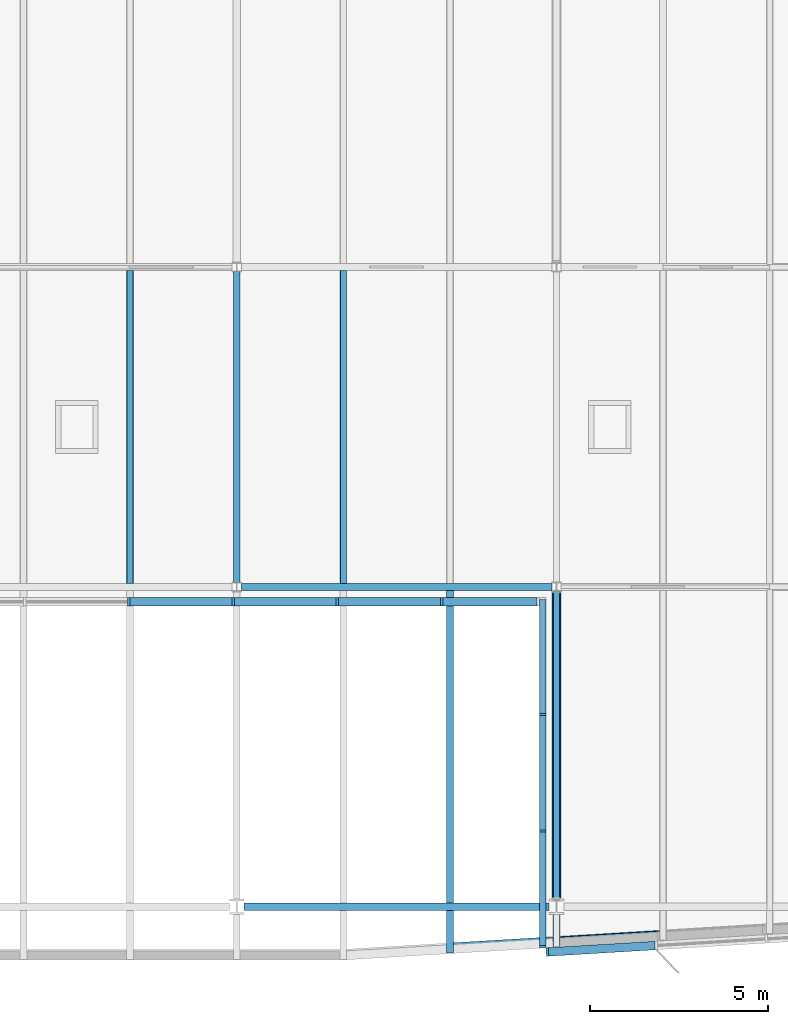
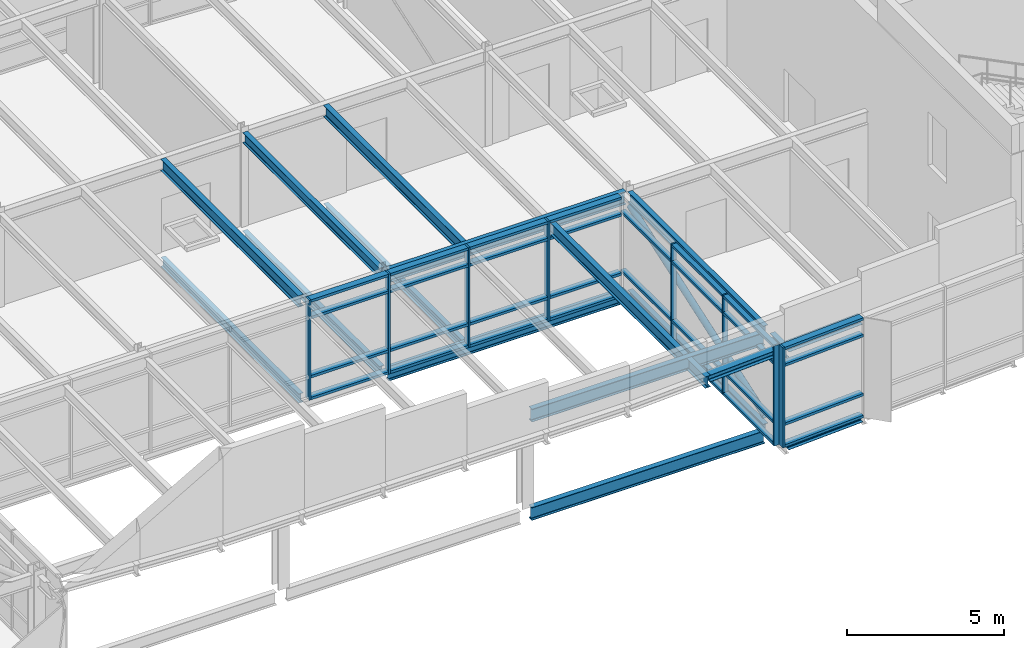
# One storey, part 6 of 23: 40 members, 18 beams, 3 elements without a shape of their own.
"""IFC4 building model written with IfcOpenShell, lengths in metres."""

from ifc_helpers import new_model, si_unit, direction, frame, origin, origin_2d, place, context, subcontext, project, spatial, rectangle, hollow_circle, i_section, extrude, material, material_profile, profile_set, type_object, element, aggregate, save


model = new_model("IFC4")

# Units and contexts
model_context = context("Model", 3, precision=1e-05, world=origin(), true_north=direction((0.0, 1.0)))
body_context = subcontext(model_context, "Body", "Model", "MODEL_VIEW")
ifc_project = project(units=[si_unit("LENGTHUNIT", "METRE"), si_unit("AREAUNIT", "SQUARE_METRE"), si_unit("VOLUMEUNIT", "CUBIC_METRE"), si_unit("PLANEANGLEUNIT", "RADIAN"), si_unit("MASSUNIT", "GRAM", prefix="KILO")], contexts=[model_context])

# Site, building, storey
site_placement = place(None, origin())
site = spatial("IfcSite", under=ifc_project, at=site_placement, CompositionType="ELEMENT")
building_placement = place(site_placement, origin())
building = spatial("IfcBuilding", under=site, at=building_placement, Name="Azimuth Sports and Learning Centre", CompositionType="ELEMENT")
storey_placement = place(building_placement, frame((0.0, 0.0, 75.300048828125)))
storey = spatial("IfcBuildingStorey", under=building, at=storey_placement, Name="L17", CompositionType="ELEMENT", Elevation=75.300048828125)

# Beams
ifc_material_1 = material(Name="Steel S355", Category="steel")
ifc_material_profile_1 = material_profile(ifc_material_1, i_section(OverallWidth=0.179931640625, OverallDepth=0.39990234375, WebThickness=0.008544921875, FlangeThickness=0.013427734375, FilletRadius=0.02099609375, at=origin_2d()), Name="IPE 400")
ifc_profile_set_1 = profile_set([ifc_material_profile_1], Name="Steel S355")
beam_type_1 = type_object("IfcBeamType", Name="Beam IPE 400", PredefinedType="BEAM", material=ifc_profile_set_1)
beam_1_placement = place(storey_placement, frame((90.0, 99.1298828125, -0.330078125), z_axis=(0.0, 1.0, 0.0), x_axis=(-1.0, 0.0, 0.0)))
element("IfcBeam", 1, at=beam_1_placement, inside=storey, type_object=beam_type_1, Name="Tower tie", PredefinedType="BEAM", context=body_context, shape_type="SweptSolid", body=[
    extrude(i_section(OverallWidth=0.179931640625, OverallDepth=0.39990234375, WebThickness=0.008544921875, FlangeThickness=0.013427734375, FilletRadius=0.02099609375, at=origin_2d()), origin(), (0.0, 0.0, 1.0), 8.740234375),
])
beam_2_placement = place(storey_placement, frame((99.0, 90.217529296875, -0.330078125), z_axis=(0.0, 1.0, 0.0), x_axis=(-1.0, 0.0, 0.0)))
element("IfcBeam", 2, at=beam_2_placement, inside=storey, type_object=beam_type_1, Name="Tower tie", PredefinedType="BEAM", context=body_context, shape_type="SweptSolid", body=[
    extrude(i_section(OverallWidth=0.179931640625, OverallDepth=0.39990234375, WebThickness=0.008544921875, FlangeThickness=0.013427734375, FilletRadius=0.02099609375, at=origin_2d()), origin(), (0.0, 0.0, 1.0), 8.652587890625),
])
beam_3_placement = place(storey_placement, frame((90.0, 99.1298828125, 3.5), z_axis=(0.0, 1.0, 0.0), x_axis=(-1.0, 0.0, 0.0)))
element("IfcBeam", 3, at=beam_3_placement, inside=storey, type_object=beam_type_1, Name="Roof tie", PredefinedType="BEAM", context=body_context, shape_type="SweptSolid", body=[
    extrude(i_section(OverallWidth=0.179931640625, OverallDepth=0.39990234375, WebThickness=0.008544921875, FlangeThickness=0.013427734375, FilletRadius=0.02099609375, at=origin_2d()), origin(), (0.0, 0.0, 1.0), 8.740234375),
])
beam_4_placement = place(storey_placement, frame((99.0, 90.217529296875, 3.5), z_axis=(0.0, 1.0, 0.0), x_axis=(-1.0, 0.0, 0.0)))
element("IfcBeam", 4, at=beam_4_placement, inside=storey, type_object=beam_type_1, Name="Roof tie", PredefinedType="BEAM", context=body_context, shape_type="SweptSolid", body=[
    extrude(i_section(OverallWidth=0.179931640625, OverallDepth=0.39990234375, WebThickness=0.008544921875, FlangeThickness=0.013427734375, FilletRadius=0.02099609375, at=origin_2d()), origin(), (0.0, 0.0, 1.0), 8.652587890625),
])
ifc_material_2 = material(Name="Steel S355", Category="steel")
ifc_material_profile_2 = material_profile(ifc_material_2, i_section(OverallWidth=0.199951171875, OverallDepth=0.5, WebThickness=0.01025390625, FlangeThickness=0.01611328125, FilletRadius=0.02099609375, at=origin_2d()), Name="IPE 500")
ifc_profile_set_2 = profile_set([ifc_material_profile_2], Name="Steel S355")
beam_type_2 = type_object("IfcBeamType", Name="Beam IPE 500", PredefinedType="BEAM", material=ifc_profile_set_2)
beam_5_placement = place(storey_placement, frame((90.2060546875, 90.0, -0.380126953125), z_axis=(1.0, 0.0, 0.0), x_axis=(0.0, 1.0, 0.0)))
element("IfcBeam", 5, at=beam_5_placement, inside=storey, type_object=beam_type_2, Name="Tower girder L17", PredefinedType="BEAM", context=body_context, shape_type="SweptSolid", body=[
    extrude(i_section(OverallWidth=0.199951171875, OverallDepth=0.5, WebThickness=0.01025390625, FlangeThickness=0.01611328125, FilletRadius=0.02099609375, at=origin_2d()), origin(), (0.0, 0.0, 1.0), 8.587890625),
])
beam_6_placement = place(storey_placement, frame((90.1298828125, 99.0, -0.380126953125), z_axis=(1.0, 0.0, 0.0), x_axis=(0.0, 1.0, 0.0)))
element("IfcBeam", 6, at=beam_6_placement, inside=storey, type_object=beam_type_2, Name="Tower girder L17", PredefinedType="BEAM", context=body_context, shape_type="SweptSolid", body=[
    extrude(i_section(OverallWidth=0.199951171875, OverallDepth=0.5, WebThickness=0.01025390625, FlangeThickness=0.01611328125, FilletRadius=0.02099609375, at=origin_2d()), origin(), (0.0, 0.0, 1.0), 8.740234375),
])
beam_7_placement = place(storey_placement, frame((90.2060546875, 90.0, 3.449951171875), z_axis=(1.0, 0.0, 0.0), x_axis=(0.0, 1.0, 0.0)))
element("IfcBeam", 7, at=beam_7_placement, inside=storey, type_object=beam_type_2, Name="Roof girder", PredefinedType="BEAM", context=body_context, shape_type="SweptSolid", body=[
    extrude(i_section(OverallWidth=0.199951171875, OverallDepth=0.5, WebThickness=0.01025390625, FlangeThickness=0.01611328125, FilletRadius=0.02099609375, at=origin_2d()), origin(), (0.0, 0.0, 1.0), 8.587890625),
])
beam_8_placement = place(storey_placement, frame((90.1298828125, 99.0, 3.449951171875), z_axis=(1.0, 0.0, 0.0), x_axis=(0.0, 1.0, 0.0)))
element("IfcBeam", 8, at=beam_8_placement, inside=storey, type_object=beam_type_2, Name="Roof girder", PredefinedType="BEAM", context=body_context, shape_type="SweptSolid", body=[
    extrude(i_section(OverallWidth=0.199951171875, OverallDepth=0.5, WebThickness=0.01025390625, FlangeThickness=0.01611328125, FilletRadius=0.02099609375, at=origin_2d()), origin(), (0.0, 0.0, 1.0), 8.740234375),
])

# Member
ifc_material_3 = material(Name="Steel S355", Category="steel")
ifc_material_profile_3 = material_profile(ifc_material_3, hollow_circle(Radius=0.122314453125, WallThickness=0.012451171875, at=origin_2d()), Name="CHS 244.5x12.5")
ifc_profile_set_3 = profile_set([ifc_material_profile_3], Name="Steel S355")
member_type_1 = type_object("IfcMemberType", Name="Brace CHS 244.5x12.5", PredefinedType="BRACE", material=ifc_profile_set_3)
member_1_placement = place(storey_placement, frame((99.0, 90.2373046875, 0.1689453125), z_axis=(0.0, 0.945646677599, 0.325195881194), x_axis=(-1.0, 0.0, 0.0)))
element("IfcMember", 9, at=member_1_placement, inside=storey, type_object=member_type_1, Name="Tower brace 12 L17", PredefinedType="BRACE", context=body_context, shape_type="SweptSolid", body=[
    extrude(hollow_circle(Radius=0.122314453125, WallThickness=0.012451171875, at=origin_2d()), origin(), (0.0, 0.0, 1.0), 9.108154296875),
])

# Beams
ifc_material_4 = material(Name="Steel S355", Category="steel")
ifc_material_profile_4 = material_profile(ifc_material_4, i_section(OverallWidth=0.18994140625, OverallDepth=0.449951171875, WebThickness=0.009521484375, FlangeThickness=0.0146484375, FilletRadius=0.02099609375, at=origin_2d()), Name="IPE 450")
ifc_profile_set_4 = profile_set([ifc_material_profile_4], Name="Steel S355")
beam_type_3 = type_object("IfcBeamType", Name="Cantilever stub IPE 450", PredefinedType="JOIST", material=ifc_profile_set_4)
beam_9_placement = place(storey_placement, frame((96.0, 89.89990234375, 3.474853515625), z_axis=(0.0, -1.0, 0.0), x_axis=(1.0, 0.0, 0.0)))
element("IfcBeam", 10, at=beam_9_placement, inside=storey, type_object=beam_type_3, Name="Roof cantilever stub", PredefinedType="JOIST", context=body_context, shape_type="SweptSolid", body=[
    extrude(i_section(OverallWidth=0.18994140625, OverallDepth=0.449951171875, WebThickness=0.009521484375, FlangeThickness=0.0146484375, FilletRadius=0.02099609375, at=origin_2d()), origin(), (0.0, 0.0, 1.0), 1.199951171875),
])
beam_10_placement = place(storey_placement, frame((99.0, 89.782470703125, 3.474853515625), z_axis=(0.0, -1.0, 0.0), x_axis=(1.0, 0.0, 0.0)))
element("IfcBeam", 11, at=beam_10_placement, inside=storey, type_object=beam_type_3, Name="Roof cantilever stub", PredefinedType="JOIST", context=body_context, shape_type="SweptSolid", body=[
    extrude(i_section(OverallWidth=0.18994140625, OverallDepth=0.449951171875, WebThickness=0.009521484375, FlangeThickness=0.0146484375, FilletRadius=0.02099609375, at=origin_2d()), origin(), (0.0, 0.0, 1.0), 0.902587890625),
])
ifc_material_5 = material(Name="Steel S355", Category="steel")
ifc_material_profile_5 = material_profile(ifc_material_5, i_section(OverallWidth=0.260009765625, OverallDepth=0.25, WebThickness=0.007568359375, FlangeThickness=0.012451171875, FilletRadius=0.02392578125, at=origin_2d()), Name="HEA 260")
ifc_profile_set_5 = profile_set([ifc_material_profile_5], Name="Steel S355")
beam_type_4 = type_object("IfcBeamType", Name="Edge beam HEA 260", PredefinedType="SPANDREL", material=ifc_profile_set_5)
beam_11_placement = place(storey_placement, frame((99.0849609375, 89.01513671875, -0.255126953125), z_axis=(0.998207521518, 0.059847673176, 0.0), x_axis=(-0.059847673176, 0.998207521518, 0.0)))
element("IfcBeam", 12, at=beam_11_placement, inside=storey, type_object=beam_type_4, Name="Tower edge beam", PredefinedType="SPANDREL", context=body_context, shape_type="SweptSolid", body=[
    extrude(i_section(OverallWidth=0.260009765625, OverallDepth=0.25, WebThickness=0.007568359375, FlangeThickness=0.012451171875, FilletRadius=0.02392578125, at=origin_2d()), origin(), (0.0, 0.0, 1.0), 2.835205078125),
])
ifc_material_6 = material(Name="Steel S355", Category="steel")
ifc_material_profile_6 = material_profile(ifc_material_6, i_section(OverallWidth=0.280029296875, OverallDepth=0.27001953125, WebThickness=0.008056640625, FlangeThickness=0.012939453125, FilletRadius=0.02392578125, at=origin_2d()), Name="HEA 280")
ifc_profile_set_6 = profile_set([ifc_material_profile_6], Name="Steel S355")
beam_type_5 = type_object("IfcBeamType", Name="Edge beam HEA 280", PredefinedType="SPANDREL", material=ifc_profile_set_6)
for number, where, z_axis, x_axis, name in (
    (13, (96.094970703125, 88.845703125, 3.56494140625), (0.998202770938, 0.059926856187, 0.0), (-0.059926856187, 0.998202770938, 0.0), "Roof edge beam"),
    (14, (99.094970703125, 89.025634765625, 3.56494140625), (0.998202770938, 0.059926856187, 0.0), (-0.059926856187, 0.998202770938, 0.0), "Roof edge beam"),
):
    element("IfcBeam", number, at=place(storey_placement, frame(where, z_axis=z_axis, x_axis=x_axis)), inside=storey, type_object=beam_type_5, Name=name, PredefinedType="SPANDREL", context=body_context, shape_type="SweptSolid", body=[
        extrude(i_section(OverallWidth=0.280029296875, OverallDepth=0.27001953125, WebThickness=0.008056640625, FlangeThickness=0.012939453125, FilletRadius=0.02392578125, at=origin_2d()), origin(), (0.0, 0.0, 1.0), 2.815185546875),
    ])
ifc_material_7 = material(Name="Steel S355", Category="steel")
ifc_material_profile_7 = material_profile(ifc_material_7, i_section(OverallWidth=0.169921875, OverallDepth=0.360107421875, WebThickness=0.008056640625, FlangeThickness=0.0126953125, FilletRadius=0.01806640625, at=origin_2d()), Name="IPE 360")
ifc_profile_set_7 = profile_set([ifc_material_profile_7], Name="Steel S355")
beam_type_6 = type_object("IfcBeamType", Name="Joist IPE 360", PredefinedType="JOIST", material=ifc_profile_set_7)
for number, where, z_axis, x_axis, name in (
    (15, (87.0, 99.10009765625, -0.31005859375), (0.0, 1.0, 0.0), (-1.0, 0.0, 0.0), "Tower joist"),
    (16, (93.0, 99.10009765625, -0.31005859375), (0.0, 1.0, 0.0), (-1.0, 0.0, 0.0), "Tower joist"),
):
    element("IfcBeam", number, at=place(storey_placement, frame(where, z_axis=z_axis, x_axis=x_axis)), inside=storey, type_object=beam_type_6, Name=name, PredefinedType="JOIST", context=body_context, shape_type="SweptSolid", body=[
        extrude(i_section(OverallWidth=0.169921875, OverallDepth=0.360107421875, WebThickness=0.008056640625, FlangeThickness=0.0126953125, FilletRadius=0.01806640625, at=origin_2d()), origin(), (0.0, 0.0, 1.0), 8.7998046875),
    ])
ifc_material_8 = material(Name="Steel S355", Category="steel")
ifc_material_profile_8 = material_profile(ifc_material_8, i_section(OverallWidth=0.18994140625, OverallDepth=0.449951171875, WebThickness=0.009521484375, FlangeThickness=0.0146484375, FilletRadius=0.02099609375, at=origin_2d()), Name="IPE 450")
ifc_profile_set_8 = profile_set([ifc_material_profile_8], Name="Steel S355")
beam_type_7 = type_object("IfcBeamType", Name="Joist IPE 450", PredefinedType="JOIST", material=ifc_profile_set_8)
for number, where, z_axis, x_axis, name in (
    (17, (87.0, 99.10009765625, 3.474853515625), (0.0, 1.0, 0.0), (-1.0, 0.0, 0.0), "Roof joist"),
    (18, (93.0, 99.10009765625, 3.474853515625), (0.0, 1.0, 0.0), (-1.0, 0.0, 0.0), "Roof joist"),
    (19, (96.0, 90.10009765625, 3.474853515625), (0.0, 1.0, 0.0), (-1.0, 0.0, 0.0), "Roof joist"),
):
    element("IfcBeam", number, at=place(storey_placement, frame(where, z_axis=z_axis, x_axis=x_axis)), inside=storey, type_object=beam_type_7, Name=name, PredefinedType="JOIST", context=body_context, shape_type="SweptSolid", body=[
        extrude(i_section(OverallWidth=0.18994140625, OverallDepth=0.449951171875, WebThickness=0.009521484375, FlangeThickness=0.0146484375, FilletRadius=0.02099609375, at=origin_2d()), origin(), (0.0, 0.0, 1.0), 8.7998046875),
    ])

# Curtain wall, members
ifc_material_9 = material(Name="Aluminium and glass", Category="aluminium")
curtain_wall_type_1 = type_object("IfcCurtainWallType", Name="Curtain wall tower return 180", PredefinedType="NOTDEFINED", material=ifc_material_9)
curtain_wall_1_placement = place(storey_placement, origin())
curtain_wall_1 = element("IfcCurtainWall", 20, at=curtain_wall_1_placement, inside=storey, type_object=curtain_wall_type_1, Name="Curtain wall CW17-005", PredefinedType="NOTDEFINED")
ifc_material_10 = material(Name="Aluminium", Category="aluminium")
ifc_material_profile_9 = material_profile(ifc_material_10, rectangle(XDim=0.179931640625, YDim=0.06005859375, at=origin_2d()), Name="Mullion 60x180")
ifc_profile_set_9 = profile_set([ifc_material_profile_9], Name="Aluminium")
member_type_2 = type_object("IfcMemberType", Name="Mullion 60x180", PredefinedType="MULLION", material=ifc_profile_set_9)
member_2_placement = place(storey_placement, frame((98.610107421875, 95.4140625, 0.0), z_axis=(0.0, 0.0, 1.0), x_axis=(1.0, 0.0, 0.0)))
member_2 = element("IfcMember", 21, at=member_2_placement, type_object=member_type_2, Name="CW17-005 mullion 2", PredefinedType="MULLION", context=body_context, shape_type="SweptSolid", body=[
    extrude(rectangle(XDim=0.179931640625, YDim=0.06005859375, at=origin_2d()), origin(), (0.0, 0.0, 1.0), 3.89990234375),
])
member_3_placement = place(storey_placement, frame((98.610107421875, 92.1279296875, 0.0), z_axis=(0.0, 0.0, 1.0), x_axis=(1.0, 0.0, 0.0)))
member_3 = element("IfcMember", 22, at=member_3_placement, type_object=member_type_2, Name="CW17-005 mullion 3", PredefinedType="MULLION", context=body_context, shape_type="SweptSolid", body=[
    extrude(rectangle(XDim=0.179931640625, YDim=0.06005859375, at=origin_2d()), origin(), (0.0, 0.0, 1.0), 3.89990234375),
])
member_4_placement = place(storey_placement, frame((98.610107421875, 88.8720703125, 0.0), z_axis=(0.0, 0.0, 1.0), x_axis=(1.0, 0.0, 0.0)))
member_4 = element("IfcMember", 23, at=member_4_placement, type_object=member_type_2, Name="CW17-005 mullion 4", PredefinedType="MULLION", context=body_context, shape_type="SweptSolid", body=[
    extrude(rectangle(XDim=0.179931640625, YDim=0.06005859375, at=origin_2d()), origin(), (0.0, 0.0, 1.0), 3.89990234375),
])

ifc_material_11 = material(Name="Aluminium and glass", Category="aluminium")
curtain_wall_type_2 = type_object("IfcCurtainWallType", Name="Curtain wall tower south 240", PredefinedType="NOTDEFINED", material=ifc_material_11)
curtain_wall_2_placement = place(storey_placement, origin())
curtain_wall_2 = element("IfcCurtainWall", 24, at=curtain_wall_2_placement, inside=storey, type_object=curtain_wall_type_2, Name="Curtain wall CW17-004", PredefinedType="NOTDEFINED")
ifc_material_12 = material(Name="Aluminium", Category="aluminium")
ifc_material_profile_10 = material_profile(ifc_material_12, rectangle(XDim=0.239990234375, YDim=0.070068359375, at=origin_2d()), Name="Mullion 70x240")
ifc_profile_set_10 = profile_set([ifc_material_profile_10], Name="Aluminium")
member_type_3 = type_object("IfcMemberType", Name="Mullion 70x240", PredefinedType="MULLION", material=ifc_profile_set_10)
member_5_placement = place(storey_placement, frame((86.966552734375, 98.580078125, 0.0), z_axis=(0.0, 0.0, 1.0), x_axis=(0.0, 1.0, 0.0)))
member_5 = element("IfcMember", 25, at=member_5_placement, type_object=member_type_3, Name="CW17-004 mullion 6", PredefinedType="MULLION", context=body_context, shape_type="SweptSolid", body=[
    extrude(rectangle(XDim=0.239990234375, YDim=0.070068359375, at=origin_2d()), origin(), (0.0, 0.0, 1.0), 3.89990234375),
])
member_6_placement = place(storey_placement, frame((89.89990234375, 98.580078125, 0.0), z_axis=(0.0, 0.0, 1.0), x_axis=(0.0, 1.0, 0.0)))
member_6 = element("IfcMember", 26, at=member_6_placement, type_object=member_type_3, Name="CW17-004 mullion 7", PredefinedType="MULLION", context=body_context, shape_type="SweptSolid", body=[
    extrude(rectangle(XDim=0.239990234375, YDim=0.070068359375, at=origin_2d()), origin(), (0.0, 0.0, 1.0), 3.89990234375),
])
member_7_placement = place(storey_placement, frame((92.833251953125, 98.580078125, 0.0), z_axis=(0.0, 0.0, 1.0), x_axis=(0.0, 1.0, 0.0)))
member_7 = element("IfcMember", 27, at=member_7_placement, type_object=member_type_3, Name="CW17-004 mullion 8", PredefinedType="MULLION", context=body_context, shape_type="SweptSolid", body=[
    extrude(rectangle(XDim=0.239990234375, YDim=0.070068359375, at=origin_2d()), origin(), (0.0, 0.0, 1.0), 3.89990234375),
])
member_8_placement = place(storey_placement, frame((95.7666015625, 98.580078125, 0.0), z_axis=(0.0, 0.0, 1.0), x_axis=(0.0, 1.0, 0.0)))
member_8 = element("IfcMember", 28, at=member_8_placement, type_object=member_type_3, Name="CW17-004 mullion 9", PredefinedType="MULLION", context=body_context, shape_type="SweptSolid", body=[
    extrude(rectangle(XDim=0.239990234375, YDim=0.070068359375, at=origin_2d()), origin(), (0.0, 0.0, 1.0), 3.89990234375),
])

# Curtain wall, member
curtain_wall_3_placement = place(storey_placement, origin())
curtain_wall_3 = element("IfcCurtainWall", 29, at=curtain_wall_3_placement, inside=storey, type_object=curtain_wall_type_2, Name="Curtain wall CW17-006", PredefinedType="NOTDEFINED")
member_9_placement = place(storey_placement, frame((98.7421875, 88.724365234375, 0.0), z_axis=(0.0, 0.0, 1.0), x_axis=(-0.059891991812, 0.998204863401, 0.0)))
member_9 = element("IfcMember", 30, at=member_9_placement, type_object=member_type_3, Name="CW17-006 mullion 1", PredefinedType="MULLION", context=body_context, shape_type="SweptSolid", body=[
    extrude(rectangle(XDim=0.239990234375, YDim=0.070068359375, at=origin_2d()), origin(), (0.0, 0.0, 1.0), 3.89990234375),
])

# Member
ifc_material_13 = material(Name="Aluminium", Category="aluminium")
ifc_material_profile_11 = material_profile(ifc_material_13, rectangle(XDim=0.179931640625, YDim=0.10009765625, at=origin_2d()), Name="Transom 100x180")
ifc_profile_set_11 = profile_set([ifc_material_profile_11], Name="Aluminium")
member_type_4 = type_object("IfcMemberType", Name="Transom 100x180", PredefinedType="USERDEFINED", material=ifc_profile_set_11)
member_10_placement = place(storey_placement, frame((98.610107421875, 98.639892578125, 0.050048828125), z_axis=(0.0, -1.0, 0.0), x_axis=(1.0, 0.0, 0.0)))
member_10 = element("IfcMember", 31, at=member_10_placement, type_object=member_type_4, Name="CW17-005 transom 1.1", ObjectType="TRANSOM", PredefinedType="USERDEFINED", context=body_context, shape_type="SweptSolid", body=[
    extrude(rectangle(XDim=0.179931640625, YDim=0.10009765625, at=origin_2d()), origin(), (0.0, 0.0, 1.0), 3.19580078125),
])

member_11_placement = place(storey_placement, frame((98.610107421875, 98.639892578125, 0.89990234375), z_axis=(0.0, -1.0, 0.0), x_axis=(1.0, 0.0, 0.0)))
member_11 = element("IfcMember", 32, at=member_11_placement, type_object=member_type_4, Name="CW17-005 transom 1.2", ObjectType="TRANSOM", PredefinedType="USERDEFINED", context=body_context, shape_type="SweptSolid", body=[
    extrude(rectangle(XDim=0.179931640625, YDim=0.10009765625, at=origin_2d()), origin(), (0.0, 0.0, 1.0), 3.19580078125),
])

member_12_placement = place(storey_placement, frame((98.610107421875, 98.639892578125, 3.199951171875), z_axis=(0.0, -1.0, 0.0), x_axis=(1.0, 0.0, 0.0)))
member_12 = element("IfcMember", 33, at=member_12_placement, type_object=member_type_4, Name="CW17-005 transom 1.3", ObjectType="TRANSOM", PredefinedType="USERDEFINED", context=body_context, shape_type="SweptSolid", body=[
    extrude(rectangle(XDim=0.179931640625, YDim=0.10009765625, at=origin_2d()), origin(), (0.0, 0.0, 1.0), 3.19580078125),
])

member_13_placement = place(storey_placement, frame((98.610107421875, 95.384033203125, 0.050048828125), z_axis=(0.0, -1.0, 0.0), x_axis=(1.0, 0.0, 0.0)))
member_13 = element("IfcMember", 34, at=member_13_placement, type_object=member_type_4, Name="CW17-005 transom 2.1", ObjectType="TRANSOM", PredefinedType="USERDEFINED", context=body_context, shape_type="SweptSolid", body=[
    extrude(rectangle(XDim=0.179931640625, YDim=0.10009765625, at=origin_2d()), origin(), (0.0, 0.0, 1.0), 3.22607421875),
])

member_14_placement = place(storey_placement, frame((98.610107421875, 95.384033203125, 0.89990234375), z_axis=(0.0, -1.0, 0.0), x_axis=(1.0, 0.0, 0.0)))
member_14 = element("IfcMember", 35, at=member_14_placement, type_object=member_type_4, Name="CW17-005 transom 2.2", ObjectType="TRANSOM", PredefinedType="USERDEFINED", context=body_context, shape_type="SweptSolid", body=[
    extrude(rectangle(XDim=0.179931640625, YDim=0.10009765625, at=origin_2d()), origin(), (0.0, 0.0, 1.0), 3.22607421875),
])

member_15_placement = place(storey_placement, frame((98.610107421875, 95.384033203125, 3.199951171875), z_axis=(0.0, -1.0, 0.0), x_axis=(1.0, 0.0, 0.0)))
member_15 = element("IfcMember", 36, at=member_15_placement, type_object=member_type_4, Name="CW17-005 transom 2.3", ObjectType="TRANSOM", PredefinedType="USERDEFINED", context=body_context, shape_type="SweptSolid", body=[
    extrude(rectangle(XDim=0.179931640625, YDim=0.10009765625, at=origin_2d()), origin(), (0.0, 0.0, 1.0), 3.22607421875),
])

member_16_placement = place(storey_placement, frame((98.610107421875, 95.384033203125, 3.849853515625), z_axis=(0.0, -1.0, 0.0), x_axis=(1.0, 0.0, 0.0)))
member_16 = element("IfcMember", 37, at=member_16_placement, type_object=member_type_4, Name="CW17-005 transom 2.4", ObjectType="TRANSOM", PredefinedType="USERDEFINED", context=body_context, shape_type="SweptSolid", body=[
    extrude(rectangle(XDim=0.179931640625, YDim=0.10009765625, at=origin_2d()), origin(), (0.0, 0.0, 1.0), 3.22607421875),
])

member_17_placement = place(storey_placement, frame((98.610107421875, 92.097900390625, 0.050048828125), z_axis=(0.0, -1.0, 0.0), x_axis=(1.0, 0.0, 0.0)))
member_17 = element("IfcMember", 38, at=member_17_placement, type_object=member_type_4, Name="CW17-005 transom 3.1", ObjectType="TRANSOM", PredefinedType="USERDEFINED", context=body_context, shape_type="SweptSolid", body=[
    extrude(rectangle(XDim=0.179931640625, YDim=0.10009765625, at=origin_2d()), origin(), (0.0, 0.0, 1.0), 3.19580078125),
])

member_18_placement = place(storey_placement, frame((98.610107421875, 92.097900390625, 0.89990234375), z_axis=(0.0, -1.0, 0.0), x_axis=(1.0, 0.0, 0.0)))
member_18 = element("IfcMember", 39, at=member_18_placement, type_object=member_type_4, Name="CW17-005 transom 3.2", ObjectType="TRANSOM", PredefinedType="USERDEFINED", context=body_context, shape_type="SweptSolid", body=[
    extrude(rectangle(XDim=0.179931640625, YDim=0.10009765625, at=origin_2d()), origin(), (0.0, 0.0, 1.0), 3.19580078125),
])

member_19_placement = place(storey_placement, frame((98.610107421875, 92.097900390625, 3.199951171875), z_axis=(0.0, -1.0, 0.0), x_axis=(1.0, 0.0, 0.0)))
member_19 = element("IfcMember", 40, at=member_19_placement, type_object=member_type_4, Name="CW17-005 transom 3.3", ObjectType="TRANSOM", PredefinedType="USERDEFINED", context=body_context, shape_type="SweptSolid", body=[
    extrude(rectangle(XDim=0.179931640625, YDim=0.10009765625, at=origin_2d()), origin(), (0.0, 0.0, 1.0), 3.19580078125),
])

member_20_placement = place(storey_placement, frame((98.610107421875, 92.097900390625, 3.849853515625), z_axis=(0.0, -1.0, 0.0), x_axis=(1.0, 0.0, 0.0)))
member_20 = element("IfcMember", 41, at=member_20_placement, type_object=member_type_4, Name="CW17-005 transom 3.4", ObjectType="TRANSOM", PredefinedType="USERDEFINED", context=body_context, shape_type="SweptSolid", body=[
    extrude(rectangle(XDim=0.179931640625, YDim=0.10009765625, at=origin_2d()), origin(), (0.0, 0.0, 1.0), 3.19580078125),
])

aggregate(curtain_wall_1, [member_2, member_3, member_4, member_10, member_11, member_12, member_13, member_14, member_15, member_16, member_17, member_18, member_19, member_20])

ifc_material_14 = material(Name="Aluminium", Category="aluminium")
ifc_material_profile_12 = material_profile(ifc_material_14, rectangle(XDim=0.239990234375, YDim=0.10009765625, at=origin_2d()), Name="Transom 100x240")
ifc_profile_set_12 = profile_set([ifc_material_profile_12], Name="Aluminium")
member_type_5 = type_object("IfcMemberType", Name="Transom 100x240", PredefinedType="USERDEFINED", material=ifc_profile_set_12)
member_21_placement = place(storey_placement, frame((87.001708984375, 98.580078125, 0.050048828125), z_axis=(1.0, 0.0, 0.0), x_axis=(0.0, 1.0, 0.0)))
member_21 = element("IfcMember", 42, at=member_21_placement, type_object=member_type_5, Name="CW17-004 transom 6.1", ObjectType="TRANSOM", PredefinedType="USERDEFINED", context=body_context, shape_type="SweptSolid", body=[
    extrude(rectangle(XDim=0.239990234375, YDim=0.10009765625, at=origin_2d()), origin(), (0.0, 0.0, 1.0), 2.86328125),
])

member_22_placement = place(storey_placement, frame((87.001708984375, 98.580078125, 0.89990234375), z_axis=(1.0, 0.0, 0.0), x_axis=(0.0, 1.0, 0.0)))
member_22 = element("IfcMember", 43, at=member_22_placement, type_object=member_type_5, Name="CW17-004 transom 6.2", ObjectType="TRANSOM", PredefinedType="USERDEFINED", context=body_context, shape_type="SweptSolid", body=[
    extrude(rectangle(XDim=0.239990234375, YDim=0.10009765625, at=origin_2d()), origin(), (0.0, 0.0, 1.0), 2.86328125),
])

member_23_placement = place(storey_placement, frame((87.001708984375, 98.580078125, 3.199951171875), z_axis=(1.0, 0.0, 0.0), x_axis=(0.0, 1.0, 0.0)))
member_23 = element("IfcMember", 44, at=member_23_placement, type_object=member_type_5, Name="CW17-004 transom 6.3", ObjectType="TRANSOM", PredefinedType="USERDEFINED", context=body_context, shape_type="SweptSolid", body=[
    extrude(rectangle(XDim=0.239990234375, YDim=0.10009765625, at=origin_2d()), origin(), (0.0, 0.0, 1.0), 2.86328125),
])

member_24_placement = place(storey_placement, frame((87.001708984375, 98.580078125, 3.849853515625), z_axis=(1.0, 0.0, 0.0), x_axis=(0.0, 1.0, 0.0)))
member_24 = element("IfcMember", 45, at=member_24_placement, type_object=member_type_5, Name="CW17-004 transom 6.4", ObjectType="TRANSOM", PredefinedType="USERDEFINED", context=body_context, shape_type="SweptSolid", body=[
    extrude(rectangle(XDim=0.239990234375, YDim=0.10009765625, at=origin_2d()), origin(), (0.0, 0.0, 1.0), 2.86328125),
])

member_25_placement = place(storey_placement, frame((89.93505859375, 98.580078125, 0.050048828125), z_axis=(1.0, 0.0, 0.0), x_axis=(0.0, 1.0, 0.0)))
member_25 = element("IfcMember", 46, at=member_25_placement, type_object=member_type_5, Name="CW17-004 transom 7.1", ObjectType="TRANSOM", PredefinedType="USERDEFINED", context=body_context, shape_type="SweptSolid", body=[
    extrude(rectangle(XDim=0.239990234375, YDim=0.10009765625, at=origin_2d()), origin(), (0.0, 0.0, 1.0), 2.86328125),
])

member_26_placement = place(storey_placement, frame((89.93505859375, 98.580078125, 0.89990234375), z_axis=(1.0, 0.0, 0.0), x_axis=(0.0, 1.0, 0.0)))
member_26 = element("IfcMember", 47, at=member_26_placement, type_object=member_type_5, Name="CW17-004 transom 7.2", ObjectType="TRANSOM", PredefinedType="USERDEFINED", context=body_context, shape_type="SweptSolid", body=[
    extrude(rectangle(XDim=0.239990234375, YDim=0.10009765625, at=origin_2d()), origin(), (0.0, 0.0, 1.0), 2.86328125),
])

member_27_placement = place(storey_placement, frame((89.93505859375, 98.580078125, 3.199951171875), z_axis=(1.0, 0.0, 0.0), x_axis=(0.0, 1.0, 0.0)))
member_27 = element("IfcMember", 48, at=member_27_placement, type_object=member_type_5, Name="CW17-004 transom 7.3", ObjectType="TRANSOM", PredefinedType="USERDEFINED", context=body_context, shape_type="SweptSolid", body=[
    extrude(rectangle(XDim=0.239990234375, YDim=0.10009765625, at=origin_2d()), origin(), (0.0, 0.0, 1.0), 2.86328125),
])

member_28_placement = place(storey_placement, frame((89.93505859375, 98.580078125, 3.849853515625), z_axis=(1.0, 0.0, 0.0), x_axis=(0.0, 1.0, 0.0)))
member_28 = element("IfcMember", 49, at=member_28_placement, type_object=member_type_5, Name="CW17-004 transom 7.4", ObjectType="TRANSOM", PredefinedType="USERDEFINED", context=body_context, shape_type="SweptSolid", body=[
    extrude(rectangle(XDim=0.239990234375, YDim=0.10009765625, at=origin_2d()), origin(), (0.0, 0.0, 1.0), 2.86328125),
])

member_29_placement = place(storey_placement, frame((92.868408203125, 98.580078125, 0.050048828125), z_axis=(1.0, 0.0, 0.0), x_axis=(0.0, 1.0, 0.0)))
member_29 = element("IfcMember", 50, at=member_29_placement, type_object=member_type_5, Name="CW17-004 transom 8.1", ObjectType="TRANSOM", PredefinedType="USERDEFINED", context=body_context, shape_type="SweptSolid", body=[
    extrude(rectangle(XDim=0.239990234375, YDim=0.10009765625, at=origin_2d()), origin(), (0.0, 0.0, 1.0), 2.86328125),
])

member_30_placement = place(storey_placement, frame((92.868408203125, 98.580078125, 0.89990234375), z_axis=(1.0, 0.0, 0.0), x_axis=(0.0, 1.0, 0.0)))
member_30 = element("IfcMember", 51, at=member_30_placement, type_object=member_type_5, Name="CW17-004 transom 8.2", ObjectType="TRANSOM", PredefinedType="USERDEFINED", context=body_context, shape_type="SweptSolid", body=[
    extrude(rectangle(XDim=0.239990234375, YDim=0.10009765625, at=origin_2d()), origin(), (0.0, 0.0, 1.0), 2.86328125),
])

member_31_placement = place(storey_placement, frame((92.868408203125, 98.580078125, 3.199951171875), z_axis=(1.0, 0.0, 0.0), x_axis=(0.0, 1.0, 0.0)))
member_31 = element("IfcMember", 52, at=member_31_placement, type_object=member_type_5, Name="CW17-004 transom 8.3", ObjectType="TRANSOM", PredefinedType="USERDEFINED", context=body_context, shape_type="SweptSolid", body=[
    extrude(rectangle(XDim=0.239990234375, YDim=0.10009765625, at=origin_2d()), origin(), (0.0, 0.0, 1.0), 2.86328125),
])

member_32_placement = place(storey_placement, frame((92.868408203125, 98.580078125, 3.849853515625), z_axis=(1.0, 0.0, 0.0), x_axis=(0.0, 1.0, 0.0)))
member_32 = element("IfcMember", 53, at=member_32_placement, type_object=member_type_5, Name="CW17-004 transom 8.4", ObjectType="TRANSOM", PredefinedType="USERDEFINED", context=body_context, shape_type="SweptSolid", body=[
    extrude(rectangle(XDim=0.239990234375, YDim=0.10009765625, at=origin_2d()), origin(), (0.0, 0.0, 1.0), 2.86328125),
])

member_33_placement = place(storey_placement, frame((95.8017578125, 98.580078125, 0.050048828125), z_axis=(1.0, 0.0, 0.0), x_axis=(0.0, 1.0, 0.0)))
member_33 = element("IfcMember", 54, at=member_33_placement, type_object=member_type_5, Name="CW17-004 transom 9.1", ObjectType="TRANSOM", PredefinedType="USERDEFINED", context=body_context, shape_type="SweptSolid", body=[
    extrude(rectangle(XDim=0.239990234375, YDim=0.10009765625, at=origin_2d()), origin(), (0.0, 0.0, 1.0), 2.648193359375),
])

member_34_placement = place(storey_placement, frame((95.8017578125, 98.580078125, 0.89990234375), z_axis=(1.0, 0.0, 0.0), x_axis=(0.0, 1.0, 0.0)))
member_34 = element("IfcMember", 55, at=member_34_placement, type_object=member_type_5, Name="CW17-004 transom 9.2", ObjectType="TRANSOM", PredefinedType="USERDEFINED", context=body_context, shape_type="SweptSolid", body=[
    extrude(rectangle(XDim=0.239990234375, YDim=0.10009765625, at=origin_2d()), origin(), (0.0, 0.0, 1.0), 2.648193359375),
])

member_35_placement = place(storey_placement, frame((95.8017578125, 98.580078125, 3.199951171875), z_axis=(1.0, 0.0, 0.0), x_axis=(0.0, 1.0, 0.0)))
member_35 = element("IfcMember", 56, at=member_35_placement, type_object=member_type_5, Name="CW17-004 transom 9.3", ObjectType="TRANSOM", PredefinedType="USERDEFINED", context=body_context, shape_type="SweptSolid", body=[
    extrude(rectangle(XDim=0.239990234375, YDim=0.10009765625, at=origin_2d()), origin(), (0.0, 0.0, 1.0), 2.648193359375),
])

member_36_placement = place(storey_placement, frame((95.8017578125, 98.580078125, 3.849853515625), z_axis=(1.0, 0.0, 0.0), x_axis=(0.0, 1.0, 0.0)))
member_36 = element("IfcMember", 57, at=member_36_placement, type_object=member_type_5, Name="CW17-004 transom 9.4", ObjectType="TRANSOM", PredefinedType="USERDEFINED", context=body_context, shape_type="SweptSolid", body=[
    extrude(rectangle(XDim=0.239990234375, YDim=0.10009765625, at=origin_2d()), origin(), (0.0, 0.0, 1.0), 2.648193359375),
])

aggregate(curtain_wall_2, [member_5, member_6, member_7, member_8, member_21, member_22, member_23, member_24, member_25, member_26, member_27, member_28, member_29, member_30, member_31, member_32, member_33, member_34, member_35, member_36])

member_37_placement = place(storey_placement, frame((98.777099609375, 88.726318359375, 0.050048828125), z_axis=(0.998205234603, 0.05988580475, 0.0), x_axis=(-0.05988580475, 0.998205234603, 0.0)))
member_37 = element("IfcMember", 58, at=member_37_placement, type_object=member_type_5, Name="CW17-006 transom 1.1", ObjectType="TRANSOM", PredefinedType="USERDEFINED", context=body_context, shape_type="SweptSolid", body=[
    extrude(rectangle(XDim=0.239990234375, YDim=0.10009765625, at=origin_2d()), origin(), (0.0, 0.0, 1.0), 3.00048828125),
])

member_38_placement = place(storey_placement, frame((98.777099609375, 88.726318359375, 0.89990234375), z_axis=(0.998205234603, 0.05988580475, 0.0), x_axis=(-0.05988580475, 0.998205234603, 0.0)))
member_38 = element("IfcMember", 59, at=member_38_placement, type_object=member_type_5, Name="CW17-006 transom 1.2", ObjectType="TRANSOM", PredefinedType="USERDEFINED", context=body_context, shape_type="SweptSolid", body=[
    extrude(rectangle(XDim=0.239990234375, YDim=0.10009765625, at=origin_2d()), origin(), (0.0, 0.0, 1.0), 3.00048828125),
])

member_39_placement = place(storey_placement, frame((98.777099609375, 88.726318359375, 3.199951171875), z_axis=(0.998205234603, 0.05988580475, 0.0), x_axis=(-0.05988580475, 0.998205234603, 0.0)))
member_39 = element("IfcMember", 60, at=member_39_placement, type_object=member_type_5, Name="CW17-006 transom 1.3", ObjectType="TRANSOM", PredefinedType="USERDEFINED", context=body_context, shape_type="SweptSolid", body=[
    extrude(rectangle(XDim=0.239990234375, YDim=0.10009765625, at=origin_2d()), origin(), (0.0, 0.0, 1.0), 3.00048828125),
])

member_40_placement = place(storey_placement, frame((98.777099609375, 88.726318359375, 3.849853515625), z_axis=(0.998205234603, 0.05988580475, 0.0), x_axis=(-0.05988580475, 0.998205234603, 0.0)))
member_40 = element("IfcMember", 61, at=member_40_placement, type_object=member_type_5, Name="CW17-006 transom 1.4", ObjectType="TRANSOM", PredefinedType="USERDEFINED", context=body_context, shape_type="SweptSolid", body=[
    extrude(rectangle(XDim=0.239990234375, YDim=0.10009765625, at=origin_2d()), origin(), (0.0, 0.0, 1.0), 3.00048828125),
])

aggregate(curtain_wall_3, [member_9, member_37, member_38, member_39, member_40])

save(model, "model.ifc")
